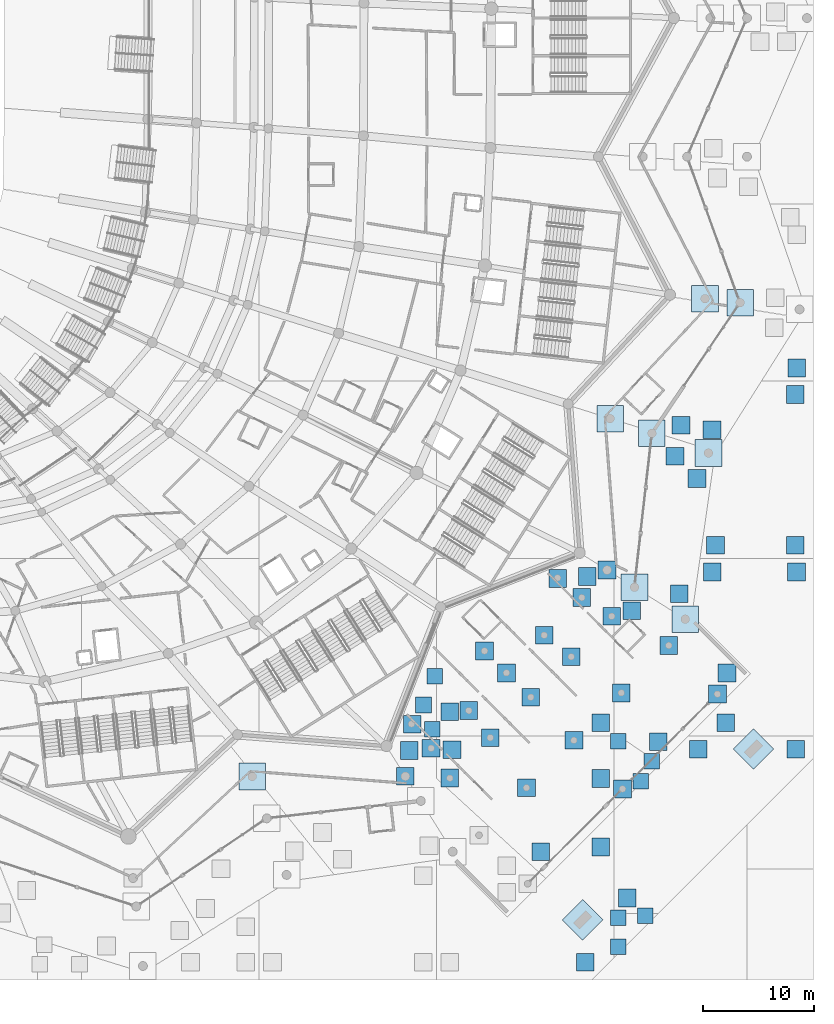
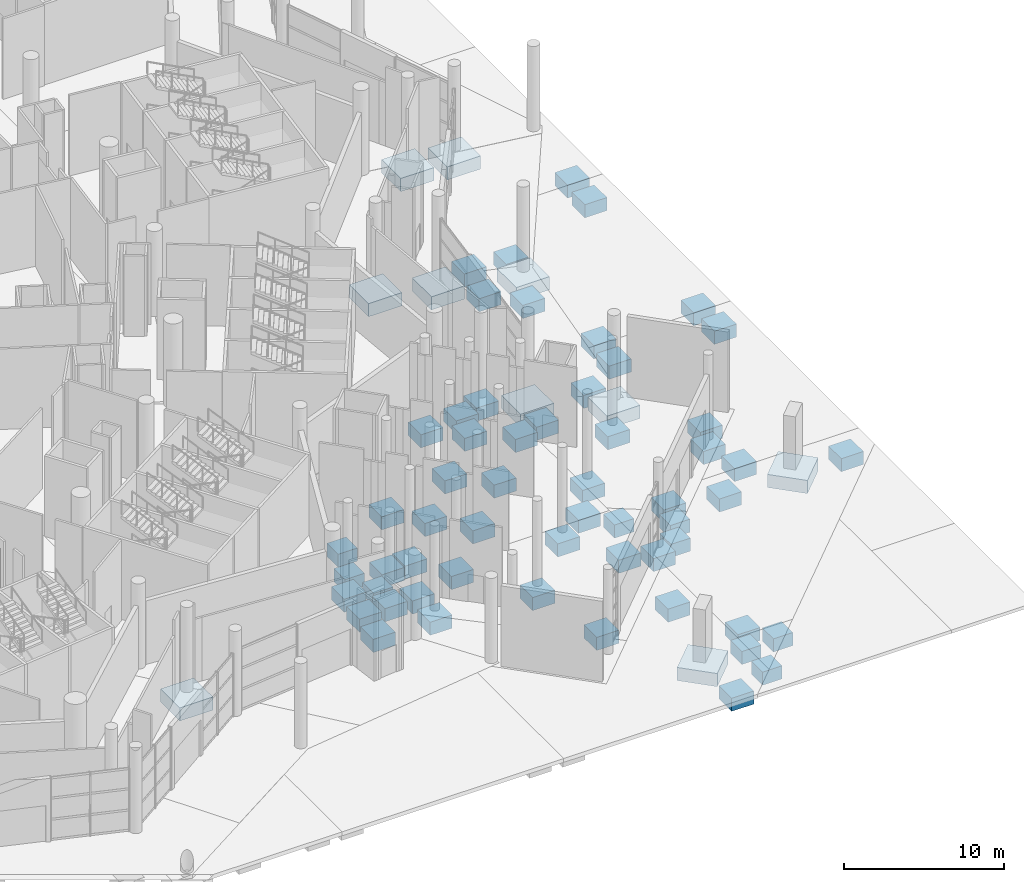
# One storey, part 4 of 255: 67 footings.
"""IFC4 building model written with IfcOpenShell, lengths in metres."""

import ifcopenshell
import ifcopenshell.guid

model = None  # the IFC model being written
_history = None  # IfcOwnerHistory: only IFC2X3 demands one
_inside = {}  # id of a spatial element -> (the spatial element, [elements in it])
_under = {}  # id of a project, library or spatial element -> (it, [spatial elements below it])
_declared = {}  # id of a project -> (the project, [libraries it declares])
_typed = {}  # id of a type object -> (the type object, [elements of that type])
_made_of = {}  # id of a material, layer set ... -> (it, [elements and type objects made of it])


def new_model(schema):
    """Start an empty IFC model of exactly this schema.

    Asked for "IFC4X3", IfcOpenShell would pick the latest addendum, in which some entities
    have other attributes; the version numbers below select the first issue.
    IFC2X3 requires an IfcOwnerHistory on every rooted entity: one is made here for all.
    """
    global model, _history
    if schema == "IFC4X3":
        model = ifcopenshell.file(schema_version=(4, 3, 0, 0))
    else:
        model = ifcopenshell.file(schema=schema)
    _inside.clear()
    _under.clear()
    _declared.clear()
    _typed.clear()
    _made_of.clear()
    _history = None
    if model.schema == "IFC2X3":
        org = make("IfcOrganization", Name="unknown")
        user = make(
            "IfcPersonAndOrganization",
            ThePerson=make("IfcPerson", FamilyName="unknown"),
            TheOrganization=org,
        )
        app = make(
            "IfcApplication",
            ApplicationDeveloper=org,
            Version="unknown",
            ApplicationFullName="unknown",
            ApplicationIdentifier="unknown",
        )
        _history = make(
            "IfcOwnerHistory",
            OwningUser=user,
            OwningApplication=app,
            ChangeAction="ADDED",
            CreationDate=0,
        )
    return model


def make(cls, **values):
    """One entity of the class cls with the attributes given. An attribute that is None is left unset."""
    return model.create_entity(
        cls, **{name: value for name, value in values.items() if value is not None}
    )


def rooted(cls, **values):
    """An entity with a GlobalId (a new one), such as an element, a storey or a relation."""
    return make(cls, GlobalId=ifcopenshell.guid.new(), OwnerHistory=_history, **values)


def si_unit(unit_type, name, prefix=None):
    """IfcSIUnit, for example si_unit("LENGTHUNIT", "METRE", prefix="MILLI")."""
    return make("IfcSIUnit", UnitType=unit_type, Prefix=prefix, Name=name)


def assignment(units):
    """IfcUnitAssignment: the units of a project."""
    return None if units is None else make("IfcUnitAssignment", Units=units)


def point(xyz):
    """IfcCartesianPoint."""
    return None if xyz is None else make("IfcCartesianPoint", Coordinates=xyz)


def direction(xyz):
    """IfcDirection."""
    return None if xyz is None else make("IfcDirection", DirectionRatios=xyz)


def frame(location, z_axis=None, x_axis=None):
    """IfcAxis2Placement3D, a coordinate frame: its origin and axes. An axis left out is left unset."""
    return make(
        "IfcAxis2Placement3D",
        Location=point(location),
        Axis=direction(z_axis),
        RefDirection=direction(x_axis),
    )


def origin():
    """The frame at (0, 0, 0) with its axes left unset."""
    return frame((0.0, 0.0, 0.0))


def place(relative_to, where):
    """IfcLocalPlacement: puts the frame where relative to a parent placement (None: the world)."""
    return make(
        "IfcLocalPlacement", PlacementRelTo=relative_to, RelativePlacement=where
    )


def context(
    kind, dimensions, precision=None, world=None, true_north=None, identifier=None
):
    """IfcGeometricRepresentationContext, for example the 3D "Model" context."""
    return make(
        "IfcGeometricRepresentationContext",
        ContextIdentifier=identifier,
        ContextType=kind,
        CoordinateSpaceDimension=dimensions,
        Precision=precision,
        WorldCoordinateSystem=world,
        TrueNorth=true_north,
    )


def subcontext(parent, identifier, kind, view, scale=None):
    """IfcGeometricRepresentationSubContext, for example "Body" below "Model"."""
    return make(
        "IfcGeometricRepresentationSubContext",
        ContextIdentifier=identifier,
        ContextType=kind,
        ParentContext=parent,
        TargetScale=scale,
        TargetView=view,
    )


def project(units=None, contexts=None):
    """IfcProject with its units and contexts."""
    return rooted(
        "IfcProject",
        Name="project",
        RepresentationContexts=contexts,
        UnitsInContext=assignment(units),
    )


def spatial(cls, under=None, at=None, **own):
    """A site, building, storey or space (cls), placed at a placement, below another one or the project."""
    s = rooted(cls, ObjectPlacement=at, **own)
    if under is not None:
        _under.setdefault(under.id(), (under, []))[1].append(s)
    return s


def polyline(points):
    """IfcPolyline through the points."""
    return make("IfcPolyline", Points=[point(p) for p in points])


def outline(outer, holes=None, kind="AREA"):
    """IfcArbitraryClosedProfileDef: a profile drawn as a closed curve; with holes, ...WithVoids."""
    if holes is None:
        return make("IfcArbitraryClosedProfileDef", ProfileType=kind, OuterCurve=outer)
    return make(
        "IfcArbitraryProfileDefWithVoids",
        ProfileType=kind,
        OuterCurve=outer,
        InnerCurves=holes,
    )


def extrude(swept, where, along, depth):
    """IfcExtrudedAreaSolid: the profile swept, set in the frame where, extruded along a direction by depth."""
    return make(
        "IfcExtrudedAreaSolid",
        SweptArea=swept,
        Position=where,
        ExtrudedDirection=direction(along),
        Depth=depth,
    )


def shape(context_of_items, identifier, shape_type, items):
    """IfcShapeRepresentation: the items that make up one representation, for example the "Body"."""
    return make(
        "IfcShapeRepresentation",
        ContextOfItems=context_of_items,
        RepresentationIdentifier=identifier,
        RepresentationType=shape_type,
        Items=items,
    )


def material(Name=None, Category=None):
    """IfcMaterial."""
    return make("IfcMaterial", Name=Name, Category=Category)


def made_of(thing, what):
    """Note that an element or type object is made of a material, layer set ...; save() writes the relation."""
    if what is not None:
        _made_of.setdefault(what.id(), (what, []))[1].append(thing)
    return thing


def type_object(cls, material=None, **own):
    """A type object (cls), such as IfcWallType, which elements share."""
    return made_of(rooted(cls, **own), material)


def element(
    cls,
    number,
    at=None,
    inside=None,
    cuts=None,
    type_object=None,
    material=None,
    context=None,
    identifier="Body",
    shape_type=None,
    held_by="IfcProductDefinitionShape",
    body=None,
    shapes=None,
    **own,
):
    """One element of the class cls, such as IfcWall. Its Tag is "e" and its number.

    at: its placement. inside: the storey or other place that contains it. cuts: it is an
    opening in that element (IfcRelVoidsElement). A single representation is given by context,
    identifier, shape_type and body (its items); several are given by shapes. held_by: the class
    of the entity that holds the representations. save() writes the other relations.
    """
    e = rooted(cls, Tag="e%d" % number, ObjectPlacement=at, **own)
    if body is not None:
        shapes = [shape(context, identifier, shape_type, body)]
    if shapes is not None:
        e.Representation = make(held_by, Representations=shapes)
    if inside is not None:
        _inside.setdefault(inside.id(), (inside, []))[1].append(e)
    if cuts is not None:
        rooted(
            "IfcRelVoidsElement", RelatingBuildingElement=cuts, RelatedOpeningElement=e
        )
    if type_object is not None:
        _typed.setdefault(type_object.id(), (type_object, []))[1].append(e)
    return made_of(e, material)


def aggregate(whole, parts):
    """IfcRelAggregates: a whole, such as a stair, and the parts it consists of."""
    return rooted("IfcRelAggregates", RelatingObject=whole, RelatedObjects=parts)


def save(model, path):
    """Write the relations noted so far, then the file.

    IfcRelAggregates (storeys below a building ...), IfcRelContainedInSpatialStructure (elements
    in a storey), IfcRelDefinesByType, IfcRelAssociatesMaterial and IfcRelDeclares: one each for
    every whole, place, type object, material and project.
    """
    for whole, parts in _under.values():
        aggregate(whole, parts)
    for where, things in _inside.values():
        rooted(
            "IfcRelContainedInSpatialStructure",
            RelatedElements=things,
            RelatingStructure=where,
        )
    for kind, things in _typed.values():
        rooted("IfcRelDefinesByType", RelatedObjects=things, RelatingType=kind)
    for what, things in _made_of.values():
        rooted("IfcRelAssociatesMaterial", RelatedObjects=things, RelatingMaterial=what)
    for by, libraries in _declared.values():
        rooted("IfcRelDeclares", RelatingContext=by, RelatedDefinitions=libraries)
    model.write(path)


model = new_model("IFC4")

# Units and contexts
model_context = context("Model", 3, precision=1e-05, world=origin(), true_north=direction((0.0, 1.0)))
body_context = subcontext(model_context, "Body", "Model", "MODEL_VIEW")
ifc_project = project(units=[si_unit("LENGTHUNIT", "METRE"), si_unit("AREAUNIT", "SQUARE_METRE"), si_unit("VOLUMEUNIT", "CUBIC_METRE"), si_unit("PLANEANGLEUNIT", "RADIAN"), si_unit("MASSUNIT", "GRAM", prefix="KILO")], contexts=[model_context])

# Site, building, storey
site_placement = place(None, origin())
site = spatial("IfcSite", under=ifc_project, at=site_placement, CompositionType="ELEMENT")
building_placement = place(site_placement, origin())
building = spatial("IfcBuilding", under=site, at=building_placement, Name="Meseta Stadium", CompositionType="ELEMENT")
storey_placement = place(building_placement, origin())
storey = spatial("IfcBuildingStorey", under=building, at=storey_placement, Name="L00", CompositionType="ELEMENT", Elevation=0.0)

# Footings
ifc_material_1 = material(Name="Concrete C30/37", Category="concrete")
footing_type_1 = type_object("IfcFootingType", Name="Gate pad footing 1400", PredefinedType="PAD_FOOTING", material=ifc_material_1)
footing_1_placement = place(storey_placement, frame((0.0, 0.0, -1.300048828125)))
element("IfcFooting", 1, at=footing_1_placement, inside=storey, type_object=footing_type_1, Name="Paving pad footing", PredefinedType="PAD_FOOTING", context=body_context, shape_type="SweptSolid", body=[
    extrude(outline(polyline([(97.10009765625, -115.700927734375), (97.10009765625, -114.301025390625), (95.699951171875, -114.301025390625), (95.699951171875, -115.700927734375), (97.10009765625, -115.700927734375)])), origin(), (0.0, 0.0, 1.0), 1.0),
])
footing_2_placement = place(storey_placement, frame((0.0, 0.0, -1.300048828125)))
element("IfcFooting", 2, at=footing_2_placement, inside=storey, type_object=footing_type_1, Name="Paving pad footing", PredefinedType="PAD_FOOTING", context=body_context, shape_type="SweptSolid", body=[
    extrude(outline(polyline([(99.5, -112.90087890625), (99.5, -111.5009765625), (98.10009765625, -111.5009765625), (98.10009765625, -112.90087890625), (99.5, -112.90087890625)])), origin(), (0.0, 0.0, 1.0), 1.0),
])
footing_3_placement = place(storey_placement, frame((0.0, 0.0, -1.300048828125)))
element("IfcFooting", 3, at=footing_3_placement, inside=storey, type_object=footing_type_1, Name="Paving pad footing", PredefinedType="PAD_FOOTING", context=body_context, shape_type="SweptSolid", body=[
    extrude(outline(polyline([(97.10009765625, -113.10107421875), (97.10009765625, -111.700927734375), (95.699951171875, -111.700927734375), (95.699951171875, -113.10107421875), (97.10009765625, -113.10107421875)])), origin(), (0.0, 0.0, 1.0), 1.0),
])
footing_4_placement = place(storey_placement, frame((0.0, 0.0, -1.300048828125)))
element("IfcFooting", 4, at=footing_4_placement, inside=storey, type_object=footing_type_1, Name="Paving pad footing", PredefinedType="PAD_FOOTING", context=body_context, shape_type="SweptSolid", body=[
    extrude(outline(polyline([(80.322021484375, -96.10009765625), (80.322021484375, -94.699951171875), (78.922119140625, -94.699951171875), (78.922119140625, -96.10009765625), (80.322021484375, -96.10009765625)])), origin(), (0.0, 0.0, 1.0), 1.0),
])
footing_5_placement = place(storey_placement, frame((0.0, 0.0, -1.300048828125)))
element("IfcFooting", 5, at=footing_5_placement, inside=storey, type_object=footing_type_1, Name="Paving pad footing", PredefinedType="PAD_FOOTING", context=body_context, shape_type="SweptSolid", body=[
    extrude(outline(polyline([(80.52197265625, -91.300048828125), (80.52197265625, -89.89990234375), (79.1220703125, -89.89990234375), (79.1220703125, -91.300048828125), (80.52197265625, -91.300048828125)])), origin(), (0.0, 0.0, 1.0), 1.0),
])
footing_6_placement = place(storey_placement, frame((0.0, 0.0, -1.300048828125)))
element("IfcFooting", 6, at=footing_6_placement, inside=storey, type_object=footing_type_1, Name="Paving pad footing", PredefinedType="PAD_FOOTING", context=body_context, shape_type="SweptSolid", body=[
    extrude(outline(polyline([(79.52197265625, -93.89990234375), (79.52197265625, -92.5), (78.1220703125, -92.5), (78.1220703125, -93.89990234375), (79.52197265625, -93.89990234375)])), origin(), (0.0, 0.0, 1.0), 1.0),
])
footing_7_placement = place(storey_placement, frame((0.0, 0.0, -1.300048828125)))
element("IfcFooting", 7, at=footing_7_placement, inside=storey, type_object=footing_type_1, Name="Paving pad footing", PredefinedType="PAD_FOOTING", context=body_context, shape_type="SweptSolid", body=[
    extrude(outline(polyline([(97.10009765625, -97.172119140625), (97.10009765625, -95.77197265625), (95.699951171875, -95.77197265625), (95.699951171875, -97.172119140625), (97.10009765625, -97.172119140625)])), origin(), (0.0, 0.0, 1.0), 1.0),
])
footing_8_placement = place(storey_placement, frame((0.0, 0.0, -1.300048828125)))
element("IfcFooting", 8, at=footing_8_placement, inside=storey, type_object=footing_type_1, Name="Paving pad footing", PredefinedType="PAD_FOOTING", context=body_context, shape_type="SweptSolid", body=[
    extrude(outline(polyline([(99.10009765625, -100.77197265625), (99.10009765625, -99.3720703125), (97.699951171875, -99.3720703125), (97.699951171875, -100.77197265625), (99.10009765625, -100.77197265625)])), origin(), (0.0, 0.0, 1.0), 1.0),
])
footing_9_placement = place(storey_placement, frame((0.0, 0.0, -1.300048828125)))
element("IfcFooting", 9, at=footing_9_placement, inside=storey, type_object=footing_type_1, Name="Paving pad footing", PredefinedType="PAD_FOOTING", context=body_context, shape_type="SweptSolid", body=[
    extrude(outline(polyline([(100.10009765625, -98.971923828125), (100.10009765625, -97.572021484375), (98.699951171875, -97.572021484375), (98.699951171875, -98.971923828125), (100.10009765625, -98.971923828125)])), origin(), (0.0, 0.0, 1.0), 1.0),
])
ifc_material_2 = material(Name="Concrete C30/37", Category="concrete")
footing_type_2 = type_object("IfcFootingType", Name="Gate pad footing 1600", PredefinedType="PAD_FOOTING", material=ifc_material_2)
footing_10_placement = place(storey_placement, frame((0.0, 0.0, -1.300048828125)))
element("IfcFooting", 10, at=footing_10_placement, inside=storey, type_object=footing_type_2, Name="Gate 8 pad footing", PredefinedType="PAD_FOOTING", context=body_context, shape_type="SweptSolid", body=[
    extrude(outline(polyline([(78.597900390625, -95.73046875), (78.597900390625, -94.130615234375), (76.997802734375, -94.130615234375), (76.997802734375, -95.73046875), (78.597900390625, -95.73046875)])), origin(), (0.0, 0.0, 1.0), 1.0),
])
footing_11_placement = place(storey_placement, frame((0.0, 0.0, -1.300048828125)))
element("IfcFooting", 11, at=footing_11_placement, inside=storey, type_object=footing_type_2, Name="Gate 8 pad footing", PredefinedType="PAD_FOOTING", context=body_context, shape_type="SweptSolid", body=[
    extrude(outline(polyline([(85.125244140625, -89.125244140625), (85.125244140625, -87.525146484375), (83.525146484375, -87.525146484375), (83.525146484375, -89.125244140625), (85.125244140625, -89.125244140625)])), origin(), (0.0, 0.0, 1.0), 1.0),
])
footing_12_placement = place(storey_placement, frame((0.0, 0.0, -1.300048828125)))
element("IfcFooting", 12, at=footing_12_placement, inside=storey, type_object=footing_type_2, Name="Gate 8 pad footing", PredefinedType="PAD_FOOTING", context=body_context, shape_type="SweptSolid", body=[
    extrude(outline(polyline([(91.73046875, -82.597900390625), (91.73046875, -80.997802734375), (90.130615234375, -80.997802734375), (90.130615234375, -82.597900390625), (91.73046875, -82.597900390625)])), origin(), (0.0, 0.0, 1.0), 1.0),
])
footing_13_placement = place(storey_placement, frame((0.0, 0.0, -1.300048828125)))
element("IfcFooting", 13, at=footing_13_placement, inside=storey, type_object=footing_type_2, Name="Gate 8 pad footing", PredefinedType="PAD_FOOTING", context=body_context, shape_type="SweptSolid", body=[
    extrude(outline(polyline([(80.30908203125, -97.90087890625), (80.30908203125, -96.301025390625), (78.709228515625, -96.301025390625), (78.709228515625, -97.90087890625), (80.30908203125, -97.90087890625)])), origin(), (0.0, 0.0, 1.0), 1.0),
])
footing_14_placement = place(storey_placement, frame((0.0, 0.0, -1.300048828125)))
element("IfcFooting", 14, at=footing_14_placement, inside=storey, type_object=footing_type_2, Name="Gate 8 pad footing", PredefinedType="PAD_FOOTING", context=body_context, shape_type="SweptSolid", body=[
    extrude(outline(polyline([(83.70703125, -94.503173828125), (83.70703125, -92.903076171875), (82.107177734375, -92.903076171875), (82.107177734375, -94.503173828125), (83.70703125, -94.503173828125)])), origin(), (0.0, 0.0, 1.0), 1.0),
])
footing_15_placement = place(storey_placement, frame((0.0, 0.0, -1.300048828125)))
element("IfcFooting", 15, at=footing_15_placement, inside=storey, type_object=footing_type_2, Name="Gate 8 pad footing", PredefinedType="PAD_FOOTING", context=body_context, shape_type="SweptSolid", body=[
    extrude(outline(polyline([(87.10498046875, -91.10498046875), (87.10498046875, -89.505126953125), (85.505126953125, -89.505126953125), (85.505126953125, -91.10498046875), (87.10498046875, -91.10498046875)])), origin(), (0.0, 0.0, 1.0), 1.0),
])
footing_16_placement = place(storey_placement, frame((0.0, 0.0, -1.300048828125)))
element("IfcFooting", 16, at=footing_16_placement, inside=storey, type_object=footing_type_2, Name="Gate 8 pad footing", PredefinedType="PAD_FOOTING", context=body_context, shape_type="SweptSolid", body=[
    extrude(outline(polyline([(90.503173828125, -87.70703125), (90.503173828125, -86.107177734375), (88.903076171875, -86.107177734375), (88.903076171875, -87.70703125), (90.503173828125, -87.70703125)])), origin(), (0.0, 0.0, 1.0), 1.0),
])
footing_17_placement = place(storey_placement, frame((0.0, 0.0, -1.300048828125)))
element("IfcFooting", 17, at=footing_17_placement, inside=storey, type_object=footing_type_2, Name="Gate 8 pad footing", PredefinedType="PAD_FOOTING", context=body_context, shape_type="SweptSolid", body=[
    extrude(outline(polyline([(93.90087890625, -84.30908203125), (93.90087890625, -82.709228515625), (92.301025390625, -82.709228515625), (92.301025390625, -84.30908203125), (93.90087890625, -84.30908203125)])), origin(), (0.0, 0.0, 1.0), 1.0),
])
footing_18_placement = place(storey_placement, frame((0.0, 0.0, -1.300048828125)))
element("IfcFooting", 18, at=footing_18_placement, inside=storey, type_object=footing_type_2, Name="Gate 8 pad footing", PredefinedType="PAD_FOOTING", context=body_context, shape_type="SweptSolid", body=[
    extrude(outline(polyline([(82.0009765625, -100.593505859375), (82.0009765625, -98.993408203125), (80.40087890625, -98.993408203125), (80.40087890625, -100.593505859375), (82.0009765625, -100.593505859375)])), origin(), (0.0, 0.0, 1.0), 1.0),
])
footing_19_placement = place(storey_placement, frame((0.0, 0.0, -1.300048828125)))
element("IfcFooting", 19, at=footing_19_placement, inside=storey, type_object=footing_type_2, Name="Gate 8 pad footing", PredefinedType="PAD_FOOTING", context=body_context, shape_type="SweptSolid", body=[
    extrude(outline(polyline([(85.64892578125, -96.9453125), (85.64892578125, -95.34521484375), (84.049072265625, -95.34521484375), (84.049072265625, -96.9453125), (85.64892578125, -96.9453125)])), origin(), (0.0, 0.0, 1.0), 1.0),
])
footing_20_placement = place(storey_placement, frame((0.0, 0.0, -1.300048828125)))
element("IfcFooting", 20, at=footing_20_placement, inside=storey, type_object=footing_type_2, Name="Gate 8 pad footing", PredefinedType="PAD_FOOTING", context=body_context, shape_type="SweptSolid", body=[
    extrude(outline(polyline([(89.297119140625, -93.297119140625), (89.297119140625, -91.697021484375), (87.697021484375, -91.697021484375), (87.697021484375, -93.297119140625), (89.297119140625, -93.297119140625)])), origin(), (0.0, 0.0, 1.0), 1.0),
])
footing_21_placement = place(storey_placement, frame((0.0, 0.0, -1.300048828125)))
element("IfcFooting", 21, at=footing_21_placement, inside=storey, type_object=footing_type_2, Name="Gate 8 pad footing", PredefinedType="PAD_FOOTING", context=body_context, shape_type="SweptSolid", body=[
    extrude(outline(polyline([(92.9453125, -89.64892578125), (92.9453125, -88.049072265625), (91.34521484375, -88.049072265625), (91.34521484375, -89.64892578125), (92.9453125, -89.64892578125)])), origin(), (0.0, 0.0, 1.0), 1.0),
])
footing_22_placement = place(storey_placement, frame((0.0, 0.0, -1.300048828125)))
element("IfcFooting", 22, at=footing_22_placement, inside=storey, type_object=footing_type_2, Name="Gate 8 pad footing", PredefinedType="PAD_FOOTING", context=body_context, shape_type="SweptSolid", body=[
    extrude(outline(polyline([(96.593505859375, -86.0009765625), (96.593505859375, -84.40087890625), (94.993408203125, -84.40087890625), (94.993408203125, -86.0009765625), (96.593505859375, -86.0009765625)])), origin(), (0.0, 0.0, 1.0), 1.0),
])
footing_23_placement = place(storey_placement, frame((0.0, 0.0, -1.300048828125)))
element("IfcFooting", 23, at=footing_23_placement, inside=storey, type_object=footing_type_2, Name="Gate 8 pad footing", PredefinedType="PAD_FOOTING", context=body_context, shape_type="SweptSolid", body=[
    extrude(outline(polyline([(88.908203125, -101.464111328125), (88.908203125, -99.8642578125), (87.30810546875, -99.8642578125), (87.30810546875, -101.464111328125), (88.908203125, -101.464111328125)])), origin(), (0.0, 0.0, 1.0), 1.0),
])
footing_24_placement = place(storey_placement, frame((0.0, 0.0, -1.300048828125)))
element("IfcFooting", 24, at=footing_24_placement, inside=storey, type_object=footing_type_2, Name="Gate 8 pad footing", PredefinedType="PAD_FOOTING", context=body_context, shape_type="SweptSolid", body=[
    extrude(outline(polyline([(93.186279296875, -97.186279296875), (93.186279296875, -95.586181640625), (91.586181640625, -95.586181640625), (91.586181640625, -97.186279296875), (93.186279296875, -97.186279296875)])), origin(), (0.0, 0.0, 1.0), 1.0),
])
footing_25_placement = place(storey_placement, frame((0.0, 0.0, -1.300048828125)))
element("IfcFooting", 25, at=footing_25_placement, inside=storey, type_object=footing_type_2, Name="Gate 8 pad footing", PredefinedType="PAD_FOOTING", context=body_context, shape_type="SweptSolid", body=[
    extrude(outline(polyline([(97.464111328125, -92.908203125), (97.464111328125, -91.30810546875), (95.8642578125, -91.30810546875), (95.8642578125, -92.908203125), (97.464111328125, -92.908203125)])), origin(), (0.0, 0.0, 1.0), 1.0),
])
footing_26_placement = place(storey_placement, frame((0.0, 0.0, -1.300048828125)))
element("IfcFooting", 26, at=footing_26_placement, inside=storey, type_object=footing_type_2, Name="Gate 8 pad footing", PredefinedType="PAD_FOOTING", context=body_context, shape_type="SweptSolid", body=[
    extrude(outline(polyline([(101.7421875, -88.630126953125), (101.7421875, -87.0302734375), (100.14208984375, -87.0302734375), (100.14208984375, -88.630126953125), (101.7421875, -88.630126953125)])), origin(), (0.0, 0.0, 1.0), 1.0),
])
footing_27_placement = place(storey_placement, frame((0.0, 0.0, -1.300048828125)))
element("IfcFooting", 27, at=footing_27_placement, inside=storey, type_object=footing_type_2, Name="Gate 8 pad footing", PredefinedType="PAD_FOOTING", context=body_context, shape_type="SweptSolid", body=[
    extrude(outline(polyline([(97.5703125, -101.5703125), (97.5703125, -99.97021484375), (95.97021484375, -99.97021484375), (95.97021484375, -101.5703125), (97.5703125, -101.5703125)])), origin(), (0.0, 0.0, 1.0), 1.0),
])
footing_28_placement = place(storey_placement, frame((0.0, 0.0, -1.300048828125)))
element("IfcFooting", 28, at=footing_28_placement, inside=storey, type_object=footing_type_2, Name="Gate 8 pad footing", PredefinedType="PAD_FOOTING", context=body_context, shape_type="SweptSolid", body=[
    extrude(outline(polyline([(106.126220703125, -93.014404296875), (106.126220703125, -91.414306640625), (104.5263671875, -91.414306640625), (104.5263671875, -93.014404296875), (106.126220703125, -93.014404296875)])), origin(), (0.0, 0.0, 1.0), 1.0),
])
ifc_material_3 = material(Name="Concrete C30/37", Category="concrete")
footing_type_3 = type_object("IfcFootingType", Name="Ring pad footing 1600", PredefinedType="PAD_FOOTING", material=ifc_material_3)
footing_29_placement = place(storey_placement, frame((0.0, 0.0, -1.300048828125)))
element("IfcFooting", 29, at=footing_29_placement, inside=storey, type_object=footing_type_3, Name="Ring pad footing F52M", PredefinedType="PAD_FOOTING", context=body_context, shape_type="SweptSolid", body=[
    extrude(outline(polyline([(77.9873046875, -100.43408203125), (77.9873046875, -98.834228515625), (76.38720703125, -98.834228515625), (76.38720703125, -100.43408203125), (77.9873046875, -100.43408203125)])), origin(), (0.0, 0.0, 1.0), 1.0),
])
footing_30_placement = place(storey_placement, frame((0.0, 0.0, -1.300048828125)))
element("IfcFooting", 30, at=footing_30_placement, inside=storey, type_object=footing_type_3, Name="Ring pad footing F54M", PredefinedType="PAD_FOOTING", context=body_context, shape_type="SweptSolid", body=[
    extrude(outline(polyline([(96.18017578125, -81.82763671875), (96.18017578125, -80.2275390625), (94.580078125, -80.2275390625), (94.580078125, -81.82763671875), (96.18017578125, -81.82763671875)])), origin(), (0.0, 0.0, 1.0), 1.0),
])
footing_31_placement = place(storey_placement, frame((0.0, 0.0, -1.300048828125)))
element("IfcFooting", 31, at=footing_31_placement, inside=storey, type_object=footing_type_3, Name="Paving pad footing", PredefinedType="PAD_FOOTING", context=body_context, shape_type="SweptSolid", body=[
    extrude(outline(polyline([(95.60009765625, -106.800048828125), (95.60009765625, -105.199951171875), (94.0, -105.199951171875), (94.0, -106.800048828125), (95.60009765625, -106.800048828125)])), origin(), (0.0, 0.0, 1.0), 1.0),
])
footing_32_placement = place(storey_placement, frame((0.0, 0.0, -1.300048828125)))
element("IfcFooting", 32, at=footing_32_placement, inside=storey, type_object=footing_type_3, Name="Paving pad footing", PredefinedType="PAD_FOOTING", context=body_context, shape_type="SweptSolid", body=[
    extrude(outline(polyline([(94.199951171875, -117.199951171875), (94.199951171875, -115.60009765625), (92.60009765625, -115.60009765625), (92.60009765625, -117.199951171875), (94.199951171875, -117.199951171875)])), origin(), (0.0, 0.0, 1.0), 1.0),
])
footing_33_placement = place(storey_placement, frame((0.0, 0.0, -1.300048828125)))
element("IfcFooting", 33, at=footing_33_placement, inside=storey, type_object=footing_type_3, Name="Paving pad footing", PredefinedType="PAD_FOOTING", context=body_context, shape_type="SweptSolid", body=[
    extrude(outline(polyline([(113.199951171875, -98.0), (113.199951171875, -96.39990234375), (111.60009765625, -96.39990234375), (111.60009765625, -98.0), (113.199951171875, -98.0)])), origin(), (0.0, 0.0, 1.0), 1.0),
])
footing_34_placement = place(storey_placement, frame((0.0, 0.0, -1.300048828125)))
element("IfcFooting", 34, at=footing_34_placement, inside=storey, type_object=footing_type_3, Name="Paving pad footing", PredefinedType="PAD_FOOTING", context=body_context, shape_type="SweptSolid", body=[
    extrude(outline(polyline([(98.0, -111.39990234375), (98.0, -109.800048828125), (96.39990234375, -109.800048828125), (96.39990234375, -111.39990234375), (98.0, -111.39990234375)])), origin(), (0.0, 0.0, 1.0), 1.0),
])
footing_35_placement = place(storey_placement, frame((0.0, 0.0, -1.300048828125)))
element("IfcFooting", 35, at=footing_35_placement, inside=storey, type_object=footing_type_3, Name="Paving pad footing", PredefinedType="PAD_FOOTING", context=body_context, shape_type="SweptSolid", body=[
    extrude(outline(polyline([(104.39990234375, -98.0), (104.39990234375, -96.39990234375), (102.800048828125, -96.39990234375), (102.800048828125, -98.0), (104.39990234375, -98.0)])), origin(), (0.0, 0.0, 1.0), 1.0),
])
footing_36_placement = place(storey_placement, frame((0.0, 0.0, -1.300048828125)))
element("IfcFooting", 36, at=footing_36_placement, inside=storey, type_object=footing_type_3, Name="Paving pad footing", PredefinedType="PAD_FOOTING", context=body_context, shape_type="SweptSolid", body=[
    extrude(outline(polyline([(106.8720703125, -95.60009765625), (106.8720703125, -94.0), (105.27197265625, -94.0), (105.27197265625, -95.60009765625), (106.8720703125, -95.60009765625)])), origin(), (0.0, 0.0, 1.0), 1.0),
])
footing_37_placement = place(storey_placement, frame((0.0, 0.0, -1.300048828125)))
element("IfcFooting", 37, at=footing_37_placement, inside=storey, type_object=footing_type_3, Name="Paving pad footing", PredefinedType="PAD_FOOTING", context=body_context, shape_type="SweptSolid", body=[
    extrude(outline(polyline([(113.27197265625, -82.0), (113.27197265625, -80.39990234375), (111.672119140625, -80.39990234375), (111.672119140625, -82.0), (113.27197265625, -82.0)])), origin(), (0.0, 0.0, 1.0), 1.0),
])
footing_38_placement = place(storey_placement, frame((0.0, 0.0, -1.300048828125)))
element("IfcFooting", 38, at=footing_38_placement, inside=storey, type_object=footing_type_3, Name="Paving pad footing", PredefinedType="PAD_FOOTING", context=body_context, shape_type="SweptSolid", body=[
    extrude(outline(polyline([(105.672119140625, -82.0), (105.672119140625, -80.39990234375), (104.072021484375, -80.39990234375), (104.072021484375, -82.0), (105.672119140625, -82.0)])), origin(), (0.0, 0.0, 1.0), 1.0),
])
footing_39_placement = place(storey_placement, frame((0.0, 0.0, -1.300048828125)))
element("IfcFooting", 39, at=footing_39_placement, inside=storey, type_object=footing_type_3, Name="Paving pad footing", PredefinedType="PAD_FOOTING", context=body_context, shape_type="SweptSolid", body=[
    extrude(outline(polyline([(113.155029296875, -66.0), (113.155029296875, -64.39990234375), (111.554931640625, -64.39990234375), (111.554931640625, -66.0), (113.155029296875, -66.0)])), origin(), (0.0, 0.0, 1.0), 1.0),
])
footing_40_placement = place(storey_placement, frame((0.0, 0.0, -1.300048828125)))
element("IfcFooting", 40, at=footing_40_placement, inside=storey, type_object=footing_type_3, Name="Paving pad footing", PredefinedType="PAD_FOOTING", context=body_context, shape_type="SweptSolid", body=[
    extrude(outline(polyline([(105.955078125, -79.60009765625), (105.955078125, -78.0), (104.35498046875, -78.0), (104.35498046875, -79.60009765625), (105.955078125, -79.60009765625)])), origin(), (0.0, 0.0, 1.0), 1.0),
])
footing_41_placement = place(storey_placement, frame((0.0, 0.0, -1.300048828125)))
element("IfcFooting", 41, at=footing_41_placement, inside=storey, type_object=footing_type_3, Name="Paving pad footing", PredefinedType="PAD_FOOTING", context=body_context, shape_type="SweptSolid", body=[
    extrude(outline(polyline([(113.155029296875, -79.60009765625), (113.155029296875, -78.0), (111.554931640625, -78.0), (111.554931640625, -79.60009765625), (113.155029296875, -79.60009765625)])), origin(), (0.0, 0.0, 1.0), 1.0),
])
footing_42_placement = place(storey_placement, frame((0.0, 0.0, -1.300048828125)))
element("IfcFooting", 42, at=footing_42_placement, inside=storey, type_object=footing_type_3, Name="Paving pad footing", PredefinedType="PAD_FOOTING", context=body_context, shape_type="SweptSolid", body=[
    extrude(outline(polyline([(113.2919921875, -63.60009765625), (113.2919921875, -62.0), (111.69189453125, -62.0), (111.69189453125, -63.60009765625), (113.2919921875, -63.60009765625)])), origin(), (0.0, 0.0, 1.0), 1.0),
])
footing_43_placement = place(storey_placement, frame((0.0, 0.0, -1.300048828125)))
element("IfcFooting", 43, at=footing_43_placement, inside=storey, type_object=footing_type_3, Name="Paving pad footing", PredefinedType="PAD_FOOTING", context=body_context, shape_type="SweptSolid", body=[
    extrude(outline(polyline([(78.341064453125, -98.095947265625), (78.341064453125, -96.49609375), (76.740966796875, -96.49609375), (76.740966796875, -98.095947265625), (78.341064453125, -98.095947265625)])), origin(), (0.0, 0.0, 1.0), 1.0),
])
footing_44_placement = place(storey_placement, frame((0.0, 0.0, -1.300048828125)))
element("IfcFooting", 44, at=footing_44_placement, inside=storey, type_object=footing_type_3, Name="Paving pad footing", PredefinedType="PAD_FOOTING", context=body_context, shape_type="SweptSolid", body=[
    extrude(outline(polyline([(94.39990234375, -82.39990234375), (94.39990234375, -80.800048828125), (92.800048828125, -80.800048828125), (92.800048828125, -82.39990234375), (94.39990234375, -82.39990234375)])), origin(), (0.0, 0.0, 1.0), 1.0),
])
footing_45_placement = place(storey_placement, frame((0.0, 0.0, -1.300048828125)))
element("IfcFooting", 45, at=footing_45_placement, inside=storey, type_object=footing_type_3, Name="Paving pad footing", PredefinedType="PAD_FOOTING", context=body_context, shape_type="SweptSolid", body=[
    extrude(outline(polyline([(82.0, -94.60009765625), (82.0, -93.0), (80.39990234375, -93.0), (80.39990234375, -94.60009765625), (82.0, -94.60009765625)])), origin(), (0.0, 0.0, 1.0), 1.0),
])
footing_46_placement = place(storey_placement, frame((0.0, 0.0, -1.300048828125)))
element("IfcFooting", 46, at=footing_46_placement, inside=storey, type_object=footing_type_3, Name="Paving pad footing", PredefinedType="PAD_FOOTING", context=body_context, shape_type="SweptSolid", body=[
    extrude(outline(polyline([(95.60009765625, -95.60009765625), (95.60009765625, -94.0), (94.0, -94.0), (94.0, -95.60009765625), (95.60009765625, -95.60009765625)])), origin(), (0.0, 0.0, 1.0), 1.0),
])
footing_47_placement = place(storey_placement, frame((0.0, 0.0, -1.300048828125)))
element("IfcFooting", 47, at=footing_47_placement, inside=storey, type_object=footing_type_3, Name="Paving pad footing", PredefinedType="PAD_FOOTING", context=body_context, shape_type="SweptSolid", body=[
    extrude(outline(polyline([(82.199951171875, -98.033935546875), (82.199951171875, -96.43408203125), (80.60009765625, -96.43408203125), (80.60009765625, -98.033935546875), (82.199951171875, -98.033935546875)])), origin(), (0.0, 0.0, 1.0), 1.0),
])
footing_48_placement = place(storey_placement, frame((0.0, 0.0, -1.300048828125)))
element("IfcFooting", 48, at=footing_48_placement, inside=storey, type_object=footing_type_3, Name="Paving pad footing", PredefinedType="PAD_FOOTING", context=body_context, shape_type="SweptSolid", body=[
    extrude(outline(polyline([(95.60009765625, -100.634033203125), (95.60009765625, -99.033935546875), (94.0, -99.033935546875), (94.0, -100.634033203125), (95.60009765625, -100.634033203125)])), origin(), (0.0, 0.0, 1.0), 1.0),
])
footing_49_placement = place(storey_placement, frame((0.0, 0.0, -1.300048828125)))
element("IfcFooting", 49, at=footing_49_placement, inside=storey, type_object=footing_type_3, Name="Paving pad footing", PredefinedType="PAD_FOOTING", context=body_context, shape_type="SweptSolid", body=[
    extrude(outline(polyline([(90.199951171875, -107.23388671875), (90.199951171875, -105.634033203125), (88.60009765625, -105.634033203125), (88.60009765625, -107.23388671875), (90.199951171875, -107.23388671875)])), origin(), (0.0, 0.0, 1.0), 1.0),
])
footing_50_placement = place(storey_placement, frame((0.0, 0.0, -1.300048828125)))
element("IfcFooting", 50, at=footing_50_placement, inside=storey, type_object=footing_type_3, Name="Paving pad footing", PredefinedType="PAD_FOOTING", context=body_context, shape_type="SweptSolid", body=[
    extrude(outline(polyline([(98.39990234375, -85.510009765625), (98.39990234375, -83.909912109375), (96.800048828125, -83.909912109375), (96.800048828125, -85.510009765625), (98.39990234375, -85.510009765625)])), origin(), (0.0, 0.0, 1.0), 1.0),
])
footing_51_placement = place(storey_placement, frame((0.0, 0.0, -1.300048828125)))
element("IfcFooting", 51, at=footing_51_placement, inside=storey, type_object=footing_type_3, Name="Paving pad footing", PredefinedType="PAD_FOOTING", context=body_context, shape_type="SweptSolid", body=[
    extrude(outline(polyline([(100.800048828125, -97.31005859375), (100.800048828125, -95.7099609375), (99.199951171875, -95.7099609375), (99.199951171875, -97.31005859375), (100.800048828125, -97.31005859375)])), origin(), (0.0, 0.0, 1.0), 1.0),
])
footing_52_placement = place(storey_placement, frame((0.0, 0.0, -1.300048828125)))
element("IfcFooting", 52, at=footing_52_placement, inside=storey, type_object=footing_type_3, Name="Paving pad footing", PredefinedType="PAD_FOOTING", context=body_context, shape_type="SweptSolid", body=[
    extrude(outline(polyline([(107.0, -91.110107421875), (107.0, -89.510009765625), (105.39990234375, -89.510009765625), (105.39990234375, -91.110107421875), (107.0, -91.110107421875)])), origin(), (0.0, 0.0, 1.0), 1.0),
])
footing_53_placement = place(storey_placement, frame((0.0, 0.0, -1.300048828125)))
element("IfcFooting", 53, at=footing_53_placement, inside=storey, type_object=footing_type_3, Name="Paving pad footing", PredefinedType="PAD_FOOTING", context=body_context, shape_type="SweptSolid", body=[
    extrude(outline(polyline([(102.697021484375, -83.970947265625), (102.697021484375, -82.37109375), (101.096923828125, -82.37109375), (101.096923828125, -83.970947265625), (102.697021484375, -83.970947265625)])), origin(), (0.0, 0.0, 1.0), 1.0),
])
footing_54_placement = place(storey_placement, frame((0.0, 0.0, -1.300048828125)))
element("IfcFooting", 54, at=footing_54_placement, inside=storey, type_object=footing_type_3, Name="Paving pad footing", PredefinedType="PAD_FOOTING", context=body_context, shape_type="SweptSolid", body=[
    extrude(outline(polyline([(102.297119140625, -71.571044921875), (102.297119140625, -69.970947265625), (100.697021484375, -69.970947265625), (100.697021484375, -71.571044921875), (102.297119140625, -71.571044921875)])), origin(), (0.0, 0.0, 1.0), 1.0),
])
footing_55_placement = place(storey_placement, frame((0.0, 0.0, -1.300048828125)))
element("IfcFooting", 55, at=footing_55_placement, inside=storey, type_object=footing_type_3, Name="Paving pad footing", PredefinedType="PAD_FOOTING", context=body_context, shape_type="SweptSolid", body=[
    extrude(outline(polyline([(104.297119140625, -73.571044921875), (104.297119140625, -71.970947265625), (102.697021484375, -71.970947265625), (102.697021484375, -73.571044921875), (104.297119140625, -73.571044921875)])), origin(), (0.0, 0.0, 1.0), 1.0),
])
footing_56_placement = place(storey_placement, frame((0.0, 0.0, -1.300048828125)))
element("IfcFooting", 56, at=footing_56_placement, inside=storey, type_object=footing_type_3, Name="Paving pad footing", PredefinedType="PAD_FOOTING", context=body_context, shape_type="SweptSolid", body=[
    extrude(outline(polyline([(102.847900390625, -68.77099609375), (102.847900390625, -67.1708984375), (101.248046875, -67.1708984375), (101.248046875, -68.77099609375), (102.847900390625, -68.77099609375)])), origin(), (0.0, 0.0, 1.0), 1.0),
])
footing_57_placement = place(storey_placement, frame((0.0, 0.0, -1.300048828125)))
element("IfcFooting", 57, at=footing_57_placement, inside=storey, type_object=footing_type_3, Name="Paving pad footing", PredefinedType="PAD_FOOTING", context=body_context, shape_type="SweptSolid", body=[
    extrude(outline(polyline([(105.64794921875, -69.1708984375), (105.64794921875, -67.571044921875), (104.048095703125, -67.571044921875), (104.048095703125, -69.1708984375), (105.64794921875, -69.1708984375)])), origin(), (0.0, 0.0, 1.0), 1.0),
])
ifc_material_4 = material(Name="Concrete C30/37", Category="concrete")
footing_type_4 = type_object("IfcFootingType", Name="Ring pad footing 2400", PredefinedType="PAD_FOOTING", material=ifc_material_4)
footing_58_placement = place(storey_placement, frame((0.0, 0.0, -1.300048828125)))
element("IfcFooting", 58, at=footing_58_placement, inside=storey, type_object=footing_type_4, Name="Ring pad footing F00M", PredefinedType="PAD_FOOTING", context=body_context, shape_type="SweptSolid", body=[
    extrude(outline(polyline([(105.412109375, -57.7587890625), (105.412109375, -55.35888671875), (103.011962890625, -55.35888671875), (103.011962890625, -57.7587890625), (105.412109375, -57.7587890625)])), origin(), (0.0, 0.0, 1.0), 1.0),
])
footing_59_placement = place(storey_placement, frame((0.0, 0.0, -1.300048828125)))
element("IfcFooting", 59, at=footing_59_placement, inside=storey, type_object=footing_type_4, Name="Ring pad footing F00Q", PredefinedType="PAD_FOOTING", context=body_context, shape_type="SweptSolid", body=[
    extrude(outline(polyline([(108.572509765625, -58.114990234375), (108.572509765625, -55.715087890625), (106.17236328125, -55.715087890625), (106.17236328125, -58.114990234375), (108.572509765625, -58.114990234375)])), origin(), (0.0, 0.0, 1.0), 1.0),
])
footing_60_placement = place(storey_placement, frame((0.0, 0.0, -1.300048828125)))
element("IfcFooting", 60, at=footing_60_placement, inside=storey, type_object=footing_type_4, Name="Ring pad footing F51M", PredefinedType="PAD_FOOTING", context=body_context, shape_type="SweptSolid", body=[
    extrude(outline(polyline([(64.57275390625, -100.848388671875), (64.57275390625, -98.4482421875), (62.172607421875, -98.4482421875), (62.172607421875, -100.848388671875), (64.57275390625, -100.848388671875)])), origin(), (0.0, 0.0, 1.0), 1.0),
])
footing_61_placement = place(storey_placement, frame((0.0, 0.0, -1.300048828125)))
element("IfcFooting", 61, at=footing_61_placement, inside=storey, type_object=footing_type_4, Name="Ring pad footing F54Q", PredefinedType="PAD_FOOTING", context=body_context, shape_type="SweptSolid", body=[
    extrude(outline(polyline([(99.052001953125, -83.78076171875), (99.052001953125, -81.380615234375), (96.65185546875, -81.380615234375), (96.65185546875, -83.78076171875), (99.052001953125, -83.78076171875)])), origin(), (0.0, 0.0, 1.0), 1.0),
])
footing_62_placement = place(storey_placement, frame((0.0, 0.0, -1.300048828125)))
element("IfcFooting", 62, at=footing_62_placement, inside=storey, type_object=footing_type_4, Name="Ring pad footing F54O", PredefinedType="PAD_FOOTING", context=body_context, shape_type="SweptSolid", body=[
    extrude(outline(polyline([(103.624267578125, -86.65380859375), (103.624267578125, -84.253662109375), (101.22412109375, -84.253662109375), (101.22412109375, -86.65380859375), (103.624267578125, -86.65380859375)])), origin(), (0.0, 0.0, 1.0), 1.0),
])
footing_63_placement = place(storey_placement, frame((0.0, 0.0, -1.300048828125)))
element("IfcFooting", 63, at=footing_63_placement, inside=storey, type_object=footing_type_4, Name="Ring pad footing F55M", PredefinedType="PAD_FOOTING", context=body_context, shape_type="SweptSolid", body=[
    extrude(outline(polyline([(96.848388671875, -68.57275390625), (96.848388671875, -66.172607421875), (94.4482421875, -66.172607421875), (94.4482421875, -68.57275390625), (96.848388671875, -68.57275390625)])), origin(), (0.0, 0.0, 1.0), 1.0),
])
footing_64_placement = place(storey_placement, frame((0.0, 0.0, -1.300048828125)))
element("IfcFooting", 64, at=footing_64_placement, inside=storey, type_object=footing_type_4, Name="Ring pad footing F55Q", PredefinedType="PAD_FOOTING", context=body_context, shape_type="SweptSolid", body=[
    extrude(outline(polyline([(100.623779296875, -69.893798828125), (100.623779296875, -67.493896484375), (98.223876953125, -67.493896484375), (98.223876953125, -69.893798828125), (100.623779296875, -69.893798828125)])), origin(), (0.0, 0.0, 1.0), 1.0),
])
footing_65_placement = place(storey_placement, frame((0.0, 0.0, -1.300048828125)))
element("IfcFooting", 65, at=footing_65_placement, inside=storey, type_object=footing_type_4, Name="Ring pad footing F55O", PredefinedType="PAD_FOOTING", context=body_context, shape_type="SweptSolid", body=[
    extrude(outline(polyline([(105.720703125, -71.67724609375), (105.720703125, -69.27734375), (103.32080078125, -69.27734375), (103.32080078125, -71.67724609375), (105.720703125, -71.67724609375)])), origin(), (0.0, 0.0, 1.0), 1.0),
])
footing_66_placement = place(storey_placement, frame((0.0, 0.0, -1.300048828125)))
element("IfcFooting", 66, at=footing_66_placement, inside=storey, type_object=footing_type_4, Name="Entrance pylon pad footing", PredefinedType="PAD_FOOTING", context=body_context, shape_type="SweptSolid", body=[
    extrude(outline(polyline([(93.1640625, -114.41748046875), (95.00244140625, -112.5791015625), (93.1640625, -110.740478515625), (91.325439453125, -112.5791015625), (93.1640625, -114.41748046875)])), origin(), (0.0, 0.0, 1.0), 1.0),
])
footing_67_placement = place(storey_placement, frame((0.0, 0.0, -1.300048828125)))
element("IfcFooting", 67, at=footing_67_placement, inside=storey, type_object=footing_type_4, Name="Entrance pylon pad footing", PredefinedType="PAD_FOOTING", context=body_context, shape_type="SweptSolid", body=[
    extrude(outline(polyline([(108.5791015625, -99.00244140625), (110.41748046875, -97.1640625), (108.5791015625, -95.325439453125), (106.740478515625, -97.1640625), (108.5791015625, -99.00244140625)])), origin(), (0.0, 0.0, 1.0), 1.0),
])

save(model, "model.ifc")
